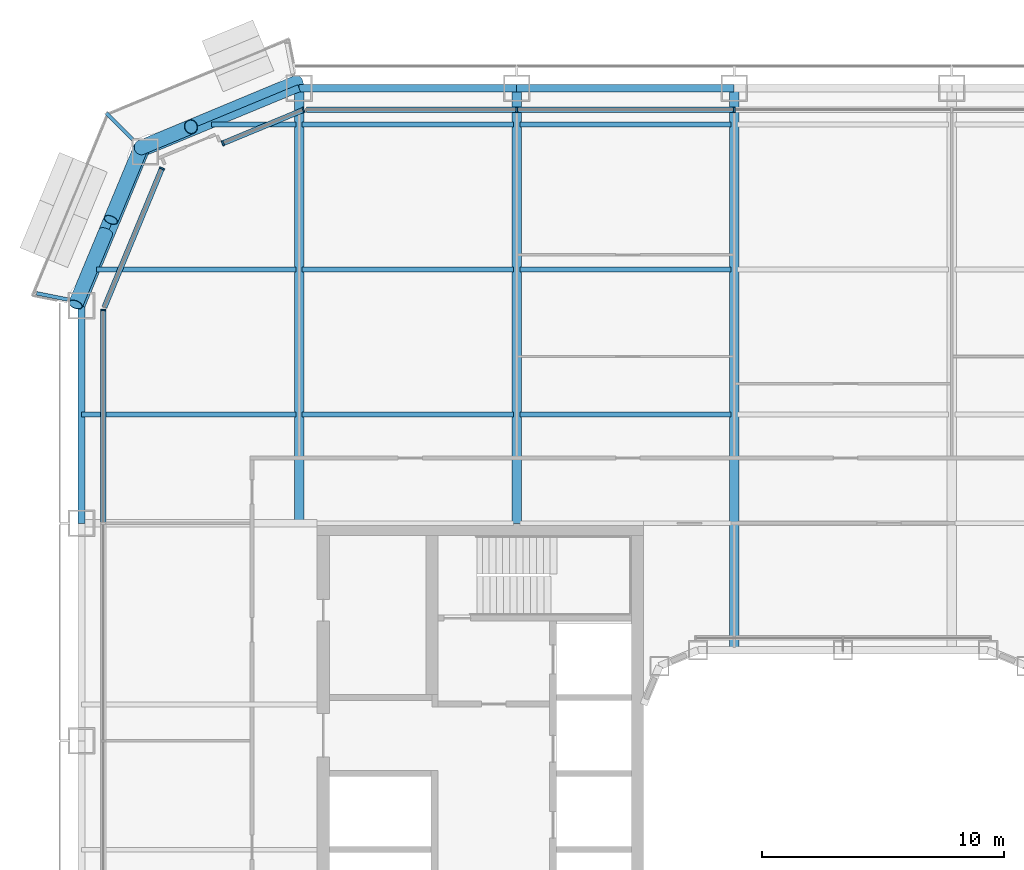
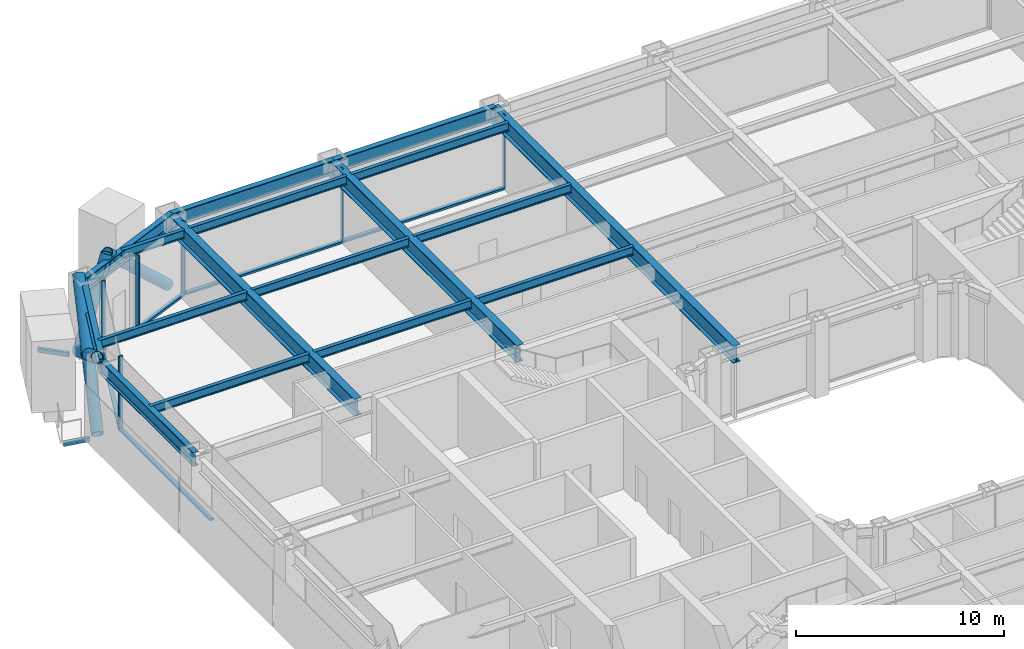
# One storey, part 7 of 28: 19 beams, 16 members, 4 elements without a shape of their own.
"""IFC4 building model written with IfcOpenShell, lengths in metres."""

import ifcopenshell
import ifcopenshell.guid

model = None  # the IFC model being written
_history = None  # IfcOwnerHistory: only IFC2X3 demands one
_inside = {}  # id of a spatial element -> (the spatial element, [elements in it])
_under = {}  # id of a project, library or spatial element -> (it, [spatial elements below it])
_declared = {}  # id of a project -> (the project, [libraries it declares])
_typed = {}  # id of a type object -> (the type object, [elements of that type])
_made_of = {}  # id of a material, layer set ... -> (it, [elements and type objects made of it])


def new_model(schema):
    """Start an empty IFC model of exactly this schema.

    Asked for "IFC4X3", IfcOpenShell would pick the latest addendum, in which some entities
    have other attributes; the version numbers below select the first issue.
    IFC2X3 requires an IfcOwnerHistory on every rooted entity: one is made here for all.
    """
    global model, _history
    if schema == "IFC4X3":
        model = ifcopenshell.file(schema_version=(4, 3, 0, 0))
    else:
        model = ifcopenshell.file(schema=schema)
    _inside.clear()
    _under.clear()
    _declared.clear()
    _typed.clear()
    _made_of.clear()
    _history = None
    if model.schema == "IFC2X3":
        org = make("IfcOrganization", Name="unknown")
        user = make(
            "IfcPersonAndOrganization",
            ThePerson=make("IfcPerson", FamilyName="unknown"),
            TheOrganization=org,
        )
        app = make(
            "IfcApplication",
            ApplicationDeveloper=org,
            Version="unknown",
            ApplicationFullName="unknown",
            ApplicationIdentifier="unknown",
        )
        _history = make(
            "IfcOwnerHistory",
            OwningUser=user,
            OwningApplication=app,
            ChangeAction="ADDED",
            CreationDate=0,
        )
    return model


def make(cls, **values):
    """One entity of the class cls with the attributes given. An attribute that is None is left unset."""
    return model.create_entity(
        cls, **{name: value for name, value in values.items() if value is not None}
    )


def rooted(cls, **values):
    """An entity with a GlobalId (a new one), such as an element, a storey or a relation."""
    return make(cls, GlobalId=ifcopenshell.guid.new(), OwnerHistory=_history, **values)


def si_unit(unit_type, name, prefix=None):
    """IfcSIUnit, for example si_unit("LENGTHUNIT", "METRE", prefix="MILLI")."""
    return make("IfcSIUnit", UnitType=unit_type, Prefix=prefix, Name=name)


def assignment(units):
    """IfcUnitAssignment: the units of a project."""
    return None if units is None else make("IfcUnitAssignment", Units=units)


def point(xyz):
    """IfcCartesianPoint."""
    return None if xyz is None else make("IfcCartesianPoint", Coordinates=xyz)


def direction(xyz):
    """IfcDirection."""
    return None if xyz is None else make("IfcDirection", DirectionRatios=xyz)


def frame(location, z_axis=None, x_axis=None):
    """IfcAxis2Placement3D, a coordinate frame: its origin and axes. An axis left out is left unset."""
    return make(
        "IfcAxis2Placement3D",
        Location=point(location),
        Axis=direction(z_axis),
        RefDirection=direction(x_axis),
    )


def frame_2d(location, x_axis=None):
    """IfcAxis2Placement2D, a coordinate frame in the plane: its origin and x axis."""
    return make(
        "IfcAxis2Placement2D", Location=point(location), RefDirection=direction(x_axis)
    )


def origin():
    """The frame at (0, 0, 0) with its axes left unset."""
    return frame((0.0, 0.0, 0.0))


def origin_2d():
    """The frame at (0, 0) in the plane with its x axis left unset."""
    return frame_2d((0.0, 0.0))


def place(relative_to, where):
    """IfcLocalPlacement: puts the frame where relative to a parent placement (None: the world)."""
    return make(
        "IfcLocalPlacement", PlacementRelTo=relative_to, RelativePlacement=where
    )


def context(
    kind, dimensions, precision=None, world=None, true_north=None, identifier=None
):
    """IfcGeometricRepresentationContext, for example the 3D "Model" context."""
    return make(
        "IfcGeometricRepresentationContext",
        ContextIdentifier=identifier,
        ContextType=kind,
        CoordinateSpaceDimension=dimensions,
        Precision=precision,
        WorldCoordinateSystem=world,
        TrueNorth=true_north,
    )


def subcontext(parent, identifier, kind, view, scale=None):
    """IfcGeometricRepresentationSubContext, for example "Body" below "Model"."""
    return make(
        "IfcGeometricRepresentationSubContext",
        ContextIdentifier=identifier,
        ContextType=kind,
        ParentContext=parent,
        TargetScale=scale,
        TargetView=view,
    )


def project(units=None, contexts=None):
    """IfcProject with its units and contexts."""
    return rooted(
        "IfcProject",
        Name="project",
        RepresentationContexts=contexts,
        UnitsInContext=assignment(units),
    )


def spatial(cls, under=None, at=None, **own):
    """A site, building, storey or space (cls), placed at a placement, below another one or the project."""
    s = rooted(cls, ObjectPlacement=at, **own)
    if under is not None:
        _under.setdefault(under.id(), (under, []))[1].append(s)
    return s


def profile(cls, at=None, kind="AREA", **sizes):
    """A parametric profile (cls). Its sizes go by their IFC names, for example OverallWidth=200.0."""
    return make(cls, ProfileType=kind, Position=at, **sizes)


def rectangle(**sizes):
    """IfcRectangleProfileDef."""
    return profile("IfcRectangleProfileDef", **sizes)


def hollow_rectangle(**sizes):
    """IfcRectangleHollowProfileDef."""
    return profile("IfcRectangleHollowProfileDef", **sizes)


def hollow_circle(**sizes):
    """IfcCircleHollowProfileDef."""
    return profile("IfcCircleHollowProfileDef", **sizes)


def i_section(**sizes):
    """IfcIShapeProfileDef."""
    return profile("IfcIShapeProfileDef", **sizes)


def extrude(swept, where, along, depth):
    """IfcExtrudedAreaSolid: the profile swept, set in the frame where, extruded along a direction by depth."""
    return make(
        "IfcExtrudedAreaSolid",
        SweptArea=swept,
        Position=where,
        ExtrudedDirection=direction(along),
        Depth=depth,
    )


def shape(context_of_items, identifier, shape_type, items):
    """IfcShapeRepresentation: the items that make up one representation, for example the "Body"."""
    return make(
        "IfcShapeRepresentation",
        ContextOfItems=context_of_items,
        RepresentationIdentifier=identifier,
        RepresentationType=shape_type,
        Items=items,
    )


def material(Name=None, Category=None):
    """IfcMaterial."""
    return make("IfcMaterial", Name=Name, Category=Category)


def layer(
    of_material, thickness, ventilated=None, Name=None, Category=None, Priority=None
):
    """IfcMaterialLayer: one layer of a wall or slab, of a material (None: an air gap)."""
    return make(
        "IfcMaterialLayer",
        Material=of_material,
        LayerThickness=thickness,
        IsVentilated=ventilated,
        Name=Name,
        Category=Category,
        Priority=Priority,
    )


def layer_set(layers, Name=None):
    """IfcMaterialLayerSet."""
    return make("IfcMaterialLayerSet", MaterialLayers=layers, LayerSetName=Name)


def material_profile(
    of_material, cross_section, Name=None, Category=None, Priority=None
):
    """IfcMaterialProfile: a cross section and its material."""
    return make(
        "IfcMaterialProfile",
        Name=Name,
        Material=of_material,
        Profile=cross_section,
        Priority=Priority,
        Category=Category,
    )


def profile_set(profiles, Name=None, composite=None):
    """IfcMaterialProfileSet."""
    return make(
        "IfcMaterialProfileSet",
        Name=Name,
        MaterialProfiles=profiles,
        CompositeProfile=composite,
    )


def made_of(thing, what):
    """Note that an element or type object is made of a material, layer set ...; save() writes the relation."""
    if what is not None:
        _made_of.setdefault(what.id(), (what, []))[1].append(thing)
    return thing


def type_object(cls, material=None, **own):
    """A type object (cls), such as IfcWallType, which elements share."""
    return made_of(rooted(cls, **own), material)


def element(
    cls,
    number,
    at=None,
    inside=None,
    cuts=None,
    type_object=None,
    material=None,
    context=None,
    identifier="Body",
    shape_type=None,
    held_by="IfcProductDefinitionShape",
    body=None,
    shapes=None,
    **own,
):
    """One element of the class cls, such as IfcWall. Its Tag is "e" and its number.

    at: its placement. inside: the storey or other place that contains it. cuts: it is an
    opening in that element (IfcRelVoidsElement). A single representation is given by context,
    identifier, shape_type and body (its items); several are given by shapes. held_by: the class
    of the entity that holds the representations. save() writes the other relations.
    """
    e = rooted(cls, Tag="e%d" % number, ObjectPlacement=at, **own)
    if body is not None:
        shapes = [shape(context, identifier, shape_type, body)]
    if shapes is not None:
        e.Representation = make(held_by, Representations=shapes)
    if inside is not None:
        _inside.setdefault(inside.id(), (inside, []))[1].append(e)
    if cuts is not None:
        rooted(
            "IfcRelVoidsElement", RelatingBuildingElement=cuts, RelatedOpeningElement=e
        )
    if type_object is not None:
        _typed.setdefault(type_object.id(), (type_object, []))[1].append(e)
    return made_of(e, material)


def aggregate(whole, parts):
    """IfcRelAggregates: a whole, such as a stair, and the parts it consists of."""
    return rooted("IfcRelAggregates", RelatingObject=whole, RelatedObjects=parts)


def save(model, path):
    """Write the relations noted so far, then the file.

    IfcRelAggregates (storeys below a building ...), IfcRelContainedInSpatialStructure (elements
    in a storey), IfcRelDefinesByType, IfcRelAssociatesMaterial and IfcRelDeclares: one each for
    every whole, place, type object, material and project.
    """
    for whole, parts in _under.values():
        aggregate(whole, parts)
    for where, things in _inside.values():
        rooted(
            "IfcRelContainedInSpatialStructure",
            RelatedElements=things,
            RelatingStructure=where,
        )
    for kind, things in _typed.values():
        rooted("IfcRelDefinesByType", RelatedObjects=things, RelatingType=kind)
    for what, things in _made_of.values():
        rooted("IfcRelAssociatesMaterial", RelatedObjects=things, RelatingMaterial=what)
    for by, libraries in _declared.values():
        rooted("IfcRelDeclares", RelatingContext=by, RelatedDefinitions=libraries)
    model.write(path)


model = new_model("IFC4")

# Units and contexts
model_context = context("Model", 3, precision=1e-05, world=origin(), true_north=direction((0.0, 1.0)))
body_context = subcontext(model_context, "Body", "Model", "MODEL_VIEW")
ifc_project = project(units=[si_unit("LENGTHUNIT", "METRE"), si_unit("AREAUNIT", "SQUARE_METRE"), si_unit("VOLUMEUNIT", "CUBIC_METRE"), si_unit("PLANEANGLEUNIT", "RADIAN"), si_unit("MASSUNIT", "GRAM", prefix="KILO")], contexts=[model_context])

# Site, building, storey
site_placement = place(None, origin())
site = spatial("IfcSite", under=ifc_project, at=site_placement, CompositionType="ELEMENT")
building_placement = place(site_placement, origin())
building = spatial("IfcBuilding", under=site, at=building_placement, Name="Siwar Civic Tower", CompositionType="ELEMENT")
storey_placement = place(building_placement, frame((0.0, 0.0, 31.199951171875)))
storey = spatial("IfcBuildingStorey", under=building, at=storey_placement, Name="L06", CompositionType="ELEMENT", Elevation=31.199951171875)

# Beams
ifc_material_1 = material(Name="Steel S355", Category="steel")
ifc_material_profile_1 = material_profile(ifc_material_1, hollow_rectangle(XDim=0.14990234375, YDim=0.25, WallThickness=0.010009765625, at=origin_2d()), Name="RHS250x150x10")
ifc_profile_set_1 = profile_set([ifc_material_profile_1], Name="Steel S355")
beam_type_1 = type_object("IfcBeamType", Name="ENV-BALCONY ARM", PredefinedType="BEAM", material=ifc_profile_set_1)
beam_1_placement = place(storey_placement, frame((-29.378662109375, 29.378662109375, -0.27490234375), z_axis=(-0.707106781187, 0.707106781187, 0.0), x_axis=(-0.707106781187, -0.707106781187, 0.0)))
element("IfcBeam", 1, at=beam_1_placement, inside=storey, type_object=beam_type_1, Name="Balcony cantilever beam NW 2", PredefinedType="BEAM", context=body_context, shape_type="SweptSolid", body=[
    extrude(hollow_rectangle(XDim=0.14990234375, YDim=0.25, WallThickness=0.010009765625, at=origin_2d()), origin(), (0.0, 0.0, 1.0), 1.545166015625),
])
beam_2_placement = place(storey_placement, frame((-32.059814453125, 22.754150390625, -0.27490234375), z_axis=(-0.980799833553, 0.195017144127, 0.0), x_axis=(-0.195017144127, -0.980799833553, 0.0)))
element("IfcBeam", 2, at=beam_2_placement, inside=storey, type_object=beam_type_1, Name="Balcony cantilever beam NW 3", PredefinedType="BEAM", context=body_context, shape_type="SweptSolid", body=[
    extrude(hollow_rectangle(XDim=0.14990234375, YDim=0.25, WallThickness=0.010009765625, at=origin_2d()), origin(), (0.0, 0.0, 1.0), 1.324462890625),
])

# Curtain wall, members
ifc_material_2 = material(Name="Aluminium and glass", Category="aluminium")
ifc_layer_1 = layer(ifc_material_2, 0.219970703125)
ifc_layer_set_1 = layer_set([ifc_layer_1], Name="Aluminium and glass")
curtain_wall_type_1 = type_object("IfcCurtainWallType", Name="ENV-CW-A", PredefinedType="NOTDEFINED", material=ifc_layer_set_1)
curtain_wall_1_placement = place(storey_placement, origin())
curtain_wall_1 = element("IfcCurtainWall", 3, at=curtain_wall_1_placement, inside=storey, type_object=curtain_wall_type_1, Name="Curtain wall A N", PredefinedType="NOTDEFINED")
ifc_material_3 = material(Name="Aluminium 6063-T6", Category="aluminium")
ifc_material_profile_2 = material_profile(ifc_material_3, rectangle(XDim=0.219970703125, YDim=0.070068359375, at=origin_2d()), Name="AL 220x70")
ifc_profile_set_2 = profile_set([ifc_material_profile_2], Name="Aluminium 6063-T6")
member_type_1 = type_object("IfcMemberType", Name="ENV-MULLION-A", PredefinedType="MULLION", material=ifc_profile_set_2)
member_1_placement = place(storey_placement, frame((-4.5, 30.60009765625, 0.0), z_axis=(0.0, 0.0, 1.0), x_axis=(0.0, -1.0, 0.0)))
member_1 = element("IfcMember", 4, at=member_1_placement, type_object=member_type_1, Name="Mullion A N 4", PredefinedType="MULLION", context=body_context, shape_type="SweptSolid", body=[
    extrude(rectangle(XDim=0.219970703125, YDim=0.070068359375, at=origin_2d()), origin(), (0.0, 0.0, 1.0), 4.35009765625),
])
member_2_placement = place(storey_placement, frame((-13.5, 30.60009765625, 0.0), z_axis=(0.0, 0.0, 1.0), x_axis=(0.0, -1.0, 0.0)))
member_2 = element("IfcMember", 5, at=member_2_placement, type_object=member_type_1, Name="Mullion A N 5", PredefinedType="MULLION", context=body_context, shape_type="SweptSolid", body=[
    extrude(rectangle(XDim=0.219970703125, YDim=0.070068359375, at=origin_2d()), origin(), (0.0, 0.0, 1.0), 4.35009765625),
])

ifc_material_4 = material(Name="Aluminium clad insulated panel", Category="aluminium")
ifc_layer_2 = layer(ifc_material_4, 0.219970703125)
ifc_layer_set_2 = layer_set([ifc_layer_2], Name="Aluminium clad insulated panel")
curtain_wall_type_2 = type_object("IfcCurtainWallType", Name="ENV-CW-AX", PredefinedType="NOTDEFINED", material=ifc_layer_set_2)
curtain_wall_2_placement = place(storey_placement, origin())
curtain_wall_2 = element("IfcCurtainWall", 6, at=curtain_wall_2_placement, inside=storey, type_object=curtain_wall_type_2, Name="Curtain wall A NW1", PredefinedType="NOTDEFINED")
member_3_placement = place(storey_placement, frame((-22.321044921875, 30.60009765625, 0.0), z_axis=(0.0, 0.0, 1.0), x_axis=(0.382683432365, -0.923879532511, 0.0)))
member_3 = element("IfcMember", 7, at=member_3_placement, type_object=member_type_1, Name="Mullion A NW1 1", PredefinedType="MULLION", context=body_context, shape_type="SweptSolid", body=[
    extrude(rectangle(XDim=0.219970703125, YDim=0.070068359375, at=origin_2d()), origin(), (0.0, 0.0, 1.0), 4.35009765625),
])
member_4_placement = place(storey_placement, frame((-25.653564453125, 29.219482421875, 0.0), z_axis=(0.0, 0.0, 1.0), x_axis=(0.382683432365, -0.923879532511, 0.0)))
member_4 = element("IfcMember", 8, at=member_4_placement, type_object=member_type_1, Name="Mullion A NW1 2", PredefinedType="MULLION", context=body_context, shape_type="SweptSolid", body=[
    extrude(rectangle(XDim=0.219970703125, YDim=0.070068359375, at=origin_2d()), origin(), (0.0, 0.0, 1.0), 4.35009765625),
])

# Curtain wall, member
curtain_wall_3_placement = place(storey_placement, origin())
curtain_wall_3 = element("IfcCurtainWall", 9, at=curtain_wall_3_placement, inside=storey, type_object=curtain_wall_type_2, Name="Curtain wall A NW2", PredefinedType="NOTDEFINED")
member_5_placement = place(storey_placement, frame((-28.175048828125, 28.175048828125, 0.0), z_axis=(0.0, 0.0, 1.0), x_axis=(0.923879532511, -0.382683432365, 0.0)))
member_5 = element("IfcMember", 10, at=member_5_placement, type_object=member_type_1, Name="Mullion A NW2 1", PredefinedType="MULLION", context=body_context, shape_type="SweptSolid", body=[
    extrude(rectangle(XDim=0.219970703125, YDim=0.070068359375, at=origin_2d()), origin(), (0.0, 0.0, 1.0), 4.35009765625),
])

curtain_wall_4_placement = place(storey_placement, origin())
curtain_wall_4 = element("IfcCurtainWall", 11, at=curtain_wall_4_placement, inside=storey, type_object=curtain_wall_type_1, Name="Curtain wall A W", PredefinedType="NOTDEFINED")
member_6_placement = place(storey_placement, frame((-30.60009765625, 22.321044921875, 0.0), z_axis=(0.0, 0.0, 1.0), x_axis=(1.0, 0.0, 0.0)))
member_6 = element("IfcMember", 12, at=member_6_placement, type_object=member_type_1, Name="Mullion A W 1", PredefinedType="MULLION", context=body_context, shape_type="SweptSolid", body=[
    extrude(rectangle(XDim=0.219970703125, YDim=0.070068359375, at=origin_2d()), origin(), (0.0, 0.0, 1.0), 4.35009765625),
])

# Member
ifc_material_5 = material(Name="Aluminium 6063-T6", Category="aluminium")
ifc_material_profile_3 = material_profile(ifc_material_5, rectangle(XDim=0.219970703125, YDim=0.1201171875, at=origin_2d()), Name="AL 220x120")
ifc_profile_set_3 = profile_set([ifc_material_profile_3], Name="Aluminium 6063-T6")
member_type_2 = type_object("IfcMemberType", Name="ENV-TRANSOM-A", PredefinedType="USERDEFINED", material=ifc_profile_set_3)
member_7_placement = place(storey_placement, frame((-4.534912109375, 30.60009765625, 0.06005859375), z_axis=(-1.0, 0.0, 0.0), x_axis=(0.0, -1.0, 0.0)))
member_7 = element("IfcMember", 13, at=member_7_placement, type_object=member_type_2, Name="Transom A N 4", ObjectType="TRANSOM", PredefinedType="USERDEFINED", context=body_context, shape_type="SweptSolid", body=[
    extrude(rectangle(XDim=0.219970703125, YDim=0.1201171875, at=origin_2d()), origin(), (0.0, 0.0, 1.0), 8.93017578125),
])

member_8_placement = place(storey_placement, frame((-13.534912109375, 30.60009765625, 0.06005859375), z_axis=(-1.0, 0.0, 0.0), x_axis=(0.0, -1.0, 0.0)))
member_8 = element("IfcMember", 14, at=member_8_placement, type_object=member_type_2, Name="Transom A N 5", ObjectType="TRANSOM", PredefinedType="USERDEFINED", context=body_context, shape_type="SweptSolid", body=[
    extrude(rectangle(XDim=0.219970703125, YDim=0.1201171875, at=origin_2d()), origin(), (0.0, 0.0, 1.0), 8.66357421875),
])

aggregate(curtain_wall_1, [member_1, member_2, member_7, member_8])

member_9_placement = place(storey_placement, frame((-22.353271484375, 30.586669921875, 0.06005859375), z_axis=(-0.923871302809, -0.38270330002, 0.0), x_axis=(0.38270330002, -0.923871302809, 0.0)))
member_9 = element("IfcMember", 15, at=member_9_placement, type_object=member_type_2, Name="Transom A NW1 1", ObjectType="TRANSOM", PredefinedType="USERDEFINED", context=body_context, shape_type="SweptSolid", body=[
    extrude(rectangle(XDim=0.219970703125, YDim=0.1201171875, at=origin_2d()), origin(), (0.0, 0.0, 1.0), 3.537353515625),
])

aggregate(curtain_wall_2, [member_3, member_4, member_9])

member_10_placement = place(storey_placement, frame((-28.1884765625, 28.142822265625, 0.06005859375), z_axis=(-0.382698415042, -0.923873326341, 0.0), x_axis=(0.923873326341, -0.382698415042, 0.0)))
member_10 = element("IfcMember", 16, at=member_10_placement, type_object=member_type_2, Name="Transom A NW2 1", ObjectType="TRANSOM", PredefinedType="USERDEFINED", context=body_context, shape_type="SweptSolid", body=[
    extrude(rectangle(XDim=0.219970703125, YDim=0.1201171875, at=origin_2d()), origin(), (0.0, 0.0, 1.0), 6.17919921875),
])

aggregate(curtain_wall_3, [member_5, member_10])

member_11_placement = place(storey_placement, frame((-30.60009765625, 22.285888671875, 0.06005859375), z_axis=(0.0, -1.0, 0.0), x_axis=(1.0, 0.0, 0.0)))
member_11 = element("IfcMember", 17, at=member_11_placement, type_object=member_type_2, Name="Transom A W 1", ObjectType="TRANSOM", PredefinedType="USERDEFINED", context=body_context, shape_type="SweptSolid", body=[
    extrude(rectangle(XDim=0.219970703125, YDim=0.1201171875, at=origin_2d()), origin(), (0.0, 0.0, 1.0), 8.7509765625),
])

aggregate(curtain_wall_4, [member_6, member_11])

# Members
ifc_material_6 = material(Name="Steel S355", Category="steel")
ifc_material_profile_4 = material_profile(ifc_material_6, hollow_circle(Radius=0.304931640625, WallThickness=0.030029296875, at=origin_2d()), Name="CHS610x30")
ifc_profile_set_4 = profile_set([ifc_material_profile_4], Name="Steel S355")
member_type_3 = type_object("IfcMemberType", Name="STR-BR-CHS610x30", PredefinedType="BRACE", material=ifc_profile_set_4)
member_12_placement = place(storey_placement, frame((-31.7451171875, 22.548828125, 0.0), z_axis=(0.323905527954, 0.777554562952, 0.538975055633), x_axis=(-0.923108759191, 0.384538969033, 0.0)))
element("IfcMember", 18, at=member_12_placement, inside=storey, type_object=member_type_3, Name="L06/brc/ANW1-5-0-1", PredefinedType="BRACE", context=body_context, shape_type="SweptSolid", body=[
    extrude(hollow_circle(Radius=0.304931640625, WallThickness=0.030029296875, at=origin_2d()), origin(), (0.0, 0.0, 1.0), 8.34912109375),
])
member_13_placement = place(storey_placement, frame((-29.040771484375, 29.040771484375, 0.0), z_axis=(-0.323922979564, -0.777542179573, 0.53898243227), x_axis=(0.923099230484, -0.384561842466, 0.0)))
element("IfcMember", 19, at=member_13_placement, inside=storey, type_object=member_type_3, Name="L06/brc/ANW1-5-0-2", PredefinedType="BRACE", context=body_context, shape_type="SweptSolid", body=[
    extrude(hollow_circle(Radius=0.304931640625, WallThickness=0.030029296875, at=origin_2d()), origin(), (0.0, 0.0, 1.0), 3.84375),
])
member_14_placement = place(storey_placement, frame((-30.500244140625, 25.537353515625, 2.428466796875), z_axis=(-0.3238932121, -0.777559680196, 0.53897507446), x_axis=(0.923114847559, -0.384524353215, 0.0)))
element("IfcMember", 20, at=member_14_placement, inside=storey, type_object=member_type_3, Name="L06/brc/ANW1-5-0-3", PredefinedType="BRACE", context=body_context, shape_type="SweptSolid", body=[
    extrude(hollow_circle(Radius=0.304931640625, WallThickness=0.030029296875, at=origin_2d()), origin(), (0.0, 0.0, 1.0), 3.843505859375),
])
member_15_placement = place(storey_placement, frame((-22.548828125, 31.7451171875, 0.0), z_axis=(-0.672864582402, -0.280310719993, 0.684601456328), x_axis=(0.384557494138, -0.923101041979, 0.0)))
element("IfcMember", 21, at=member_15_placement, inside=storey, type_object=member_type_3, Name="L06/brc/ANW1-5-0-0", PredefinedType="BRACE", context=body_context, shape_type="SweptSolid", body=[
    extrude(hollow_circle(Radius=0.304931640625, WallThickness=0.030029296875, at=origin_2d()), origin(), (0.0, 0.0, 1.0), 6.5732421875),
])
member_16_placement = place(storey_placement, frame((-29.040771484375, 29.040771484375, 0.0), z_axis=(0.411570178484, 0.171426870802, 0.895110504993), x_axis=(-0.384499368559, 0.923125254544, 0.0)))
element("IfcMember", 22, at=member_16_placement, inside=storey, type_object=member_type_3, Name="L06/brc/ANW1-5-0-6", PredefinedType="BRACE", context=body_context, shape_type="SweptSolid", body=[
    extrude(hollow_circle(Radius=0.304931640625, WallThickness=0.030029296875, at=origin_2d()), origin(), (0.0, 0.0, 1.0), 5.02734375),
])

# Beams
ifc_material_7 = material(Name="Steel S355", Category="steel")
ifc_material_profile_5 = material_profile(ifc_material_7, i_section(OverallWidth=0.199951171875, OverallDepth=0.5, WebThickness=0.01025390625, FlangeThickness=0.01611328125, FilletRadius=0.02099609375, at=origin_2d()), Name="IPE500")
ifc_profile_set_5 = profile_set([ifc_material_profile_5], Name="Steel S355")
beam_type_2 = type_object("IfcBeamType", Name="STR-FB-IPE500", PredefinedType="JOIST", material=ifc_profile_set_5)
beam_3_placement = place(storey_placement, frame((-31.5, 18.0, 4.10009765625), z_axis=(1.0, 0.0, 0.0), x_axis=(0.0, 1.0, 0.0)))
element("IfcBeam", 23, at=beam_3_placement, inside=storey, type_object=beam_type_2, Name="L06/bm/F046", PredefinedType="JOIST", context=body_context, shape_type="SweptSolid", body=[
    extrude(i_section(OverallWidth=0.199951171875, OverallDepth=0.5, WebThickness=0.01025390625, FlangeThickness=0.01611328125, FilletRadius=0.02099609375, at=origin_2d()), origin(), (0.0, 0.0, 1.0), 8.8701171875),
])
for number, where, z_axis, x_axis, name in (
    (24, (-22.3701171875, 18.0, 4.10009765625), (1.0, 0.0, 0.0), (0.0, 1.0, 0.0), "L06/bm/F047"),
    (25, (-13.3701171875, 18.0, 4.10009765625), (1.0, 0.0, 0.0), (0.0, 1.0, 0.0), "L06/bm/F048"),
):
    element("IfcBeam", number, at=place(storey_placement, frame(where, z_axis=z_axis, x_axis=x_axis)), inside=storey, type_object=beam_type_2, Name=name, PredefinedType="JOIST", context=body_context, shape_type="SweptSolid", body=[
        extrude(i_section(OverallWidth=0.199951171875, OverallDepth=0.5, WebThickness=0.01025390625, FlangeThickness=0.01611328125, FilletRadius=0.02099609375, at=origin_2d()), origin(), (0.0, 0.0, 1.0), 8.740234375),
    ])
beam_4_placement = place(storey_placement, frame((-30.878662109375, 24.0, 4.10009765625), z_axis=(1.0, 0.0, 0.0), x_axis=(0.0, 1.0, 0.0)))
element("IfcBeam", 26, at=beam_4_placement, inside=storey, type_object=beam_type_2, Name="L06/bm/F053", PredefinedType="JOIST", context=body_context, shape_type="SweptSolid", body=[
    extrude(i_section(OverallWidth=0.199951171875, OverallDepth=0.5, WebThickness=0.01025390625, FlangeThickness=0.01611328125, FilletRadius=0.02099609375, at=origin_2d()), origin(), (0.0, 0.0, 1.0), 8.248779296875),
])
for number, where, z_axis, x_axis, name in (
    (27, (-22.3701171875, 24.0, 4.10009765625), (1.0, 0.0, 0.0), (0.0, 1.0, 0.0), "L06/bm/F054"),
    (28, (-13.3701171875, 24.0, 4.10009765625), (1.0, 0.0, 0.0), (0.0, 1.0, 0.0), "L06/bm/F055"),
):
    element("IfcBeam", number, at=place(storey_placement, frame(where, z_axis=z_axis, x_axis=x_axis)), inside=storey, type_object=beam_type_2, Name=name, PredefinedType="JOIST", context=body_context, shape_type="SweptSolid", body=[
        extrude(i_section(OverallWidth=0.199951171875, OverallDepth=0.5, WebThickness=0.01025390625, FlangeThickness=0.01611328125, FilletRadius=0.02099609375, at=origin_2d()), origin(), (0.0, 0.0, 1.0), 8.740234375),
    ])
beam_5_placement = place(storey_placement, frame((-26.121337890625, 30.0, 4.10009765625), z_axis=(1.0, 0.0, 0.0), x_axis=(0.0, 1.0, 0.0)))
element("IfcBeam", 29, at=beam_5_placement, inside=storey, type_object=beam_type_2, Name="L06/bm/F060", PredefinedType="JOIST", context=body_context, shape_type="SweptSolid", body=[
    extrude(i_section(OverallWidth=0.199951171875, OverallDepth=0.5, WebThickness=0.01025390625, FlangeThickness=0.01611328125, FilletRadius=0.02099609375, at=origin_2d()), origin(), (0.0, 0.0, 1.0), 3.491455078125),
])
for number, where, z_axis, x_axis, name in (
    (30, (-22.3701171875, 30.0, 4.10009765625), (1.0, 0.0, 0.0), (0.0, 1.0, 0.0), "L06/bm/F061"),
    (31, (-13.3701171875, 30.0, 4.10009765625), (1.0, 0.0, 0.0), (0.0, 1.0, 0.0), "L06/bm/F062"),
):
    element("IfcBeam", number, at=place(storey_placement, frame(where, z_axis=z_axis, x_axis=x_axis)), inside=storey, type_object=beam_type_2, Name=name, PredefinedType="JOIST", context=body_context, shape_type="SweptSolid", body=[
        extrude(i_section(OverallWidth=0.199951171875, OverallDepth=0.5, WebThickness=0.01025390625, FlangeThickness=0.01611328125, FilletRadius=0.02099609375, at=origin_2d()), origin(), (0.0, 0.0, 1.0), 8.740234375),
    ])
ifc_material_8 = material(Name="Steel S355", Category="steel")
ifc_material_profile_6 = material_profile(ifc_material_8, i_section(OverallWidth=0.39990234375, OverallDepth=1.0, WebThickness=0.01611328125, FlangeThickness=0.0400390625, at=origin_2d()), Name="PG1000x400x16x40")
ifc_profile_set_6 = profile_set([ifc_material_profile_6], Name="Steel S355")
beam_type_3 = type_object("IfcBeamType", Name="STR-PG-PG1000x400x16x40", PredefinedType="BEAM", material=ifc_profile_set_6)
for number, where, z_axis, x_axis, name in (
    (32, (-22.5, 13.5, 3.85009765625), (0.0, 1.0, 0.0), (-1.0, 0.0, 0.0), "L06/bm/G02"),
    (33, (-13.5, 13.5, 3.85009765625), (0.0, 1.0, 0.0), (-1.0, 0.0, 0.0), "L06/bm/G04"),
):
    element("IfcBeam", number, at=place(storey_placement, frame(where, z_axis=z_axis, x_axis=x_axis)), inside=storey, type_object=beam_type_3, Name=name, PredefinedType="BEAM", context=body_context, shape_type="SweptSolid", body=[
        extrude(i_section(OverallWidth=0.39990234375, OverallDepth=1.0, WebThickness=0.01611328125, FlangeThickness=0.0400390625, at=origin_2d()), origin(), (0.0, 0.0, 1.0), 18.0),
    ])
beam_6_placement = place(storey_placement, frame((-4.5, 8.25, 3.85009765625), z_axis=(0.0, 1.0, 0.0), x_axis=(-1.0, 0.0, 0.0)))
element("IfcBeam", 34, at=beam_6_placement, inside=storey, type_object=beam_type_3, Name="L06/bm/G06", PredefinedType="BEAM", context=body_context, shape_type="SweptSolid", body=[
    extrude(i_section(OverallWidth=0.39990234375, OverallDepth=1.0, WebThickness=0.01611328125, FlangeThickness=0.0400390625, at=origin_2d()), origin(), (0.0, 0.0, 1.0), 23.25),
])
ifc_material_9 = material(Name="Steel S355", Category="steel")
ifc_material_profile_7 = material_profile(ifc_material_9, i_section(OverallWidth=0.302978515625, OverallDepth=0.81396484375, WebThickness=0.02099609375, FlangeThickness=0.0400390625, FilletRadius=0.030029296875, at=origin_2d()), Name="HEM800")
ifc_profile_set_7 = profile_set([ifc_material_profile_7], Name="Steel S355")
beam_type_4 = type_object("IfcBeamType", Name="STR-SB-HEM800", PredefinedType="BEAM", material=ifc_profile_set_7)
for number, where, z_axis, x_axis, name in (
    (35, (-4.5, 31.5, 3.943115234375), (-1.0, 0.0, 0.0), (0.0, -1.0, 0.0), "L06/bm/SN-3"),
    (36, (-13.5, 31.5, 3.943115234375), (-1.0, 0.0, 0.0), (0.0, -1.0, 0.0), "L06/bm/SN-4"),
):
    element("IfcBeam", number, at=place(storey_placement, frame(where, z_axis=z_axis, x_axis=x_axis)), inside=storey, type_object=beam_type_4, Name=name, PredefinedType="BEAM", context=body_context, shape_type="SweptSolid", body=[
        extrude(i_section(OverallWidth=0.302978515625, OverallDepth=0.81396484375, WebThickness=0.02099609375, FlangeThickness=0.0400390625, FilletRadius=0.030029296875, at=origin_2d()), origin(), (0.0, 0.0, 1.0), 9.0),
    ])
for number, where, z_axis, x_axis, name in (
    (37, (-22.5, 31.5, 3.943115234375), (-0.923883353507, -0.382674207535, 0.0), (0.382674207535, -0.923883353507, 0.0), "L06/bm/SNW1-0"),
    (38, (-28.864013671875, 28.864013671875, 3.943115234375), (-0.382674207535, -0.923883353507, 0.0), (0.923883353507, -0.382674207535, 0.0), "L06/bm/SNW2-0"),
):
    element("IfcBeam", number, at=place(storey_placement, frame(where, z_axis=z_axis, x_axis=x_axis)), inside=storey, type_object=beam_type_4, Name=name, PredefinedType="BEAM", context=body_context, shape_type="SweptSolid", body=[
        extrude(i_section(OverallWidth=0.302978515625, OverallDepth=0.81396484375, WebThickness=0.02099609375, FlangeThickness=0.0400390625, FilletRadius=0.030029296875, at=origin_2d()), origin(), (0.0, 0.0, 1.0), 6.888427734375),
    ])
beam_7_placement = place(storey_placement, frame((-31.5, 22.5, 3.943115234375), z_axis=(0.0, -1.0, 0.0), x_axis=(1.0, 0.0, 0.0)))
element("IfcBeam", 39, at=beam_7_placement, inside=storey, type_object=beam_type_4, Name="L06/bm/SW-0", PredefinedType="BEAM", context=body_context, shape_type="SweptSolid", body=[
    extrude(i_section(OverallWidth=0.302978515625, OverallDepth=0.81396484375, WebThickness=0.02099609375, FlangeThickness=0.0400390625, FilletRadius=0.030029296875, at=origin_2d()), origin(), (0.0, 0.0, 1.0), 9.0),
])

save(model, "model.ifc")
